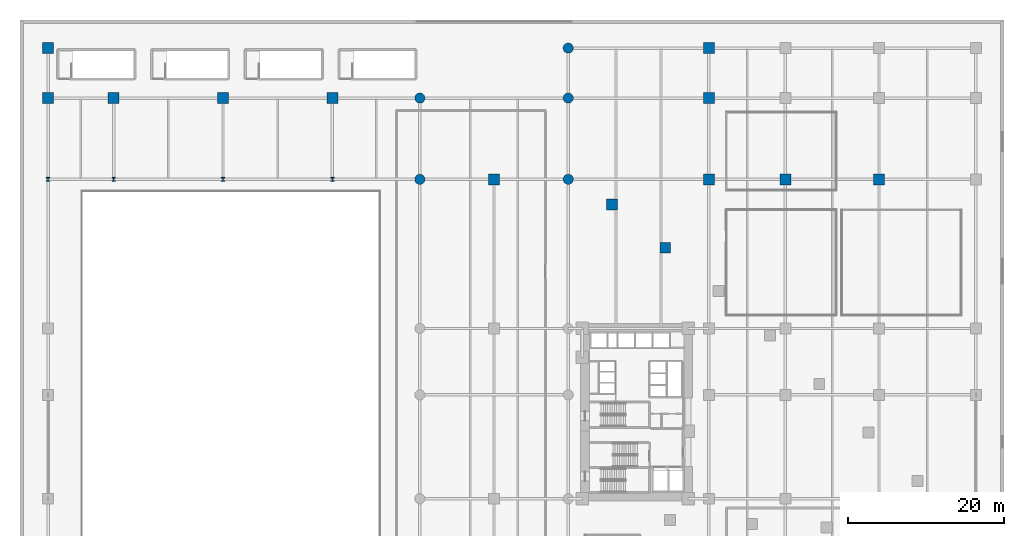
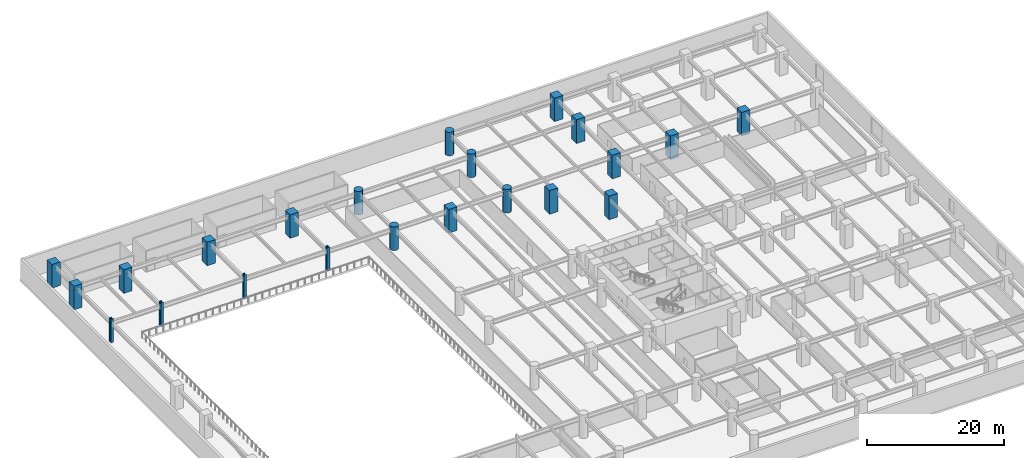
# One storey, part 3 of 20: 22 columns.
"""IFC4 building model written with IfcOpenShell, lengths in metres."""

from ifc_helpers import new_model, si_unit, direction, frame, origin, origin_2d, place, context, subcontext, project, spatial, rectangle, circle, i_section, extrude, material, material_profile, profile_set, type_object, element, save


model = new_model("IFC4")

# Units and contexts
model_context = context("Model", 3, precision=1e-05, world=origin(), true_north=direction((0.0, 1.0)))
body_context = subcontext(model_context, "Body", "Model", "MODEL_VIEW")
ifc_project = project(units=[si_unit("LENGTHUNIT", "METRE"), si_unit("AREAUNIT", "SQUARE_METRE"), si_unit("VOLUMEUNIT", "CUBIC_METRE"), si_unit("PLANEANGLEUNIT", "RADIAN"), si_unit("MASSUNIT", "GRAM", prefix="KILO")], contexts=[model_context])

# Site, building, storey
site_placement = place(None, origin())
site = spatial("IfcSite", under=ifc_project, at=site_placement, CompositionType="ELEMENT")
building_placement = place(site_placement, origin())
building = spatial("IfcBuilding", under=site, at=building_placement, Name="Narakoshi Arena Tower", CompositionType="ELEMENT")
storey_placement = place(building_placement, frame((0.0, 0.0, 17.39990234375)))
storey = spatial("IfcBuildingStorey", under=building, at=storey_placement, Name="L04", CompositionType="ELEMENT", Elevation=17.39990234375)

# Columns
ifc_material_1 = material(Name="Concrete C60/75", Category="concrete")
ifc_material_profile_1 = material_profile(ifc_material_1, circle(Radius=0.64990234375, at=origin_2d()), Name="RCC1300")
ifc_profile_set_1 = profile_set([ifc_material_profile_1], Name="Concrete C60/75")
column_type_1 = type_object("IfcColumnType", Name="COL-CIR1300", PredefinedType="PILASTER", material=ifc_profile_set_1)
for number, where, z_axis, x_axis, name in (
    (1, (51.199951171875, 75.60009765625, 0.0), (0.0, 0.0, 1.0), (1.0, 0.0, 0.0), "L04 Podium Column PC27"),
    (2, (51.199951171875, 86.0, 0.0), (0.0, 0.0, 1.0), (1.0, 0.0, 0.0), "L04 Podium Column PC28"),
    (3, (70.199951171875, 75.60009765625, 0.0), (0.0, 0.0, 1.0), (1.0, 0.0, 0.0), "L04 Podium Column PC39"),
    (4, (70.199951171875, 86.0, 0.0), (0.0, 0.0, 1.0), (1.0, 0.0, 0.0), "L04 Podium Column PC40"),
    (5, (70.199951171875, 92.39990234375, 0.0), (0.0, 0.0, 1.0), (1.0, 0.0, 0.0), "L04 Podium Column PC41"),
):
    element("IfcColumn", number, at=place(storey_placement, frame(where, z_axis=z_axis, x_axis=x_axis)), inside=storey, type_object=column_type_1, Name=name, PredefinedType="PILASTER", context=body_context, shape_type="SweptSolid", body=[
        extrude(circle(Radius=0.64990234375, at=origin_2d()), origin(), (0.0, 0.0, 1.0), 4.2001953125),
    ])
ifc_material_profile_2 = material_profile(ifc_material_1, rectangle(XDim=1.39990234375, YDim=1.39990234375, at=origin_2d()), Name="RC1400x1400")
ifc_profile_set_2 = profile_set([ifc_material_profile_2], Name="Concrete C60/75")
column_type_2 = type_object("IfcColumnType", Name="COL-RC1400", PredefinedType="COLUMN", material=ifc_profile_set_2)
for number, where, z_axis, x_axis, name in (
    (6, (3.60009765625, 86.0, 0.0), (0.0, 0.0, 1.0), (1.0, 0.0, 0.0), "L04 Podium Column PC08"),
    (7, (3.60009765625, 92.39990234375, 0.0), (0.0, 0.0, 1.0), (1.0, 0.0, 0.0), "L04 Podium Column PC09"),
    (8, (12.0, 86.0, 0.0), (0.0, 0.0, 1.0), (1.0, 0.0, 0.0), "L04 Podium Column PC13"),
    (9, (26.0, 86.0, 0.0), (0.0, 0.0, 1.0), (1.0, 0.0, 0.0), "L04 Podium Column PC17"),
    (10, (40.0, 86.0, 0.0), (0.0, 0.0, 1.0), (1.0, 0.0, 0.0), "L04 Podium Column PC21"),
    (11, (60.699951171875, 75.60009765625, 0.0), (0.0, 0.0, 1.0), (1.0, 0.0, 0.0), "L04 Podium Column PC32"),
    (12, (88.199951171875, 75.60009765625, 0.0), (0.0, 0.0, 1.0), (1.0, 0.0, 0.0), "L04 Podium Column PC48"),
    (13, (88.199951171875, 86.0, 0.0), (0.0, 0.0, 1.0), (1.0, 0.0, 0.0), "L04 Podium Column PC49"),
    (14, (88.199951171875, 92.39990234375, 0.0), (0.0, 0.0, 1.0), (1.0, 0.0, 0.0), "L04 Podium Column PC50"),
    (15, (98.0, 75.60009765625, 0.0), (0.0, 0.0, 1.0), (1.0, 0.0, 0.0), "L04 Podium Column PC57"),
    (16, (110.0, 75.60009765625, 0.0), (0.0, 0.0, 1.0), (1.0, 0.0, 0.0), "L04 Podium Column PC66"),
    (17, (82.626953125, 66.838623046875, 0.0), (0.0, 0.0, 1.0), (1.0, 0.0, 0.0), "L04 Tower Plumb Pier B1P10"),
    (18, (75.794189453125, 72.392333984375, 0.0), (0.0, 0.0, 1.0), (1.0, 0.0, 0.0), "L04 Tower Plumb Pier B1P11"),
):
    element("IfcColumn", number, at=place(storey_placement, frame(where, z_axis=z_axis, x_axis=x_axis)), inside=storey, type_object=column_type_2, Name=name, PredefinedType="COLUMN", context=body_context, shape_type="SweptSolid", body=[
        extrude(rectangle(XDim=1.39990234375, YDim=1.39990234375, at=origin_2d()), origin(), (0.0, 0.0, 1.0), 4.2001953125),
    ])
ifc_material_2 = material(Name="Structural steel S355J2", Category="steel")
ifc_material_profile_3 = material_profile(ifc_material_2, i_section(OverallWidth=0.43701171875, OverallDepth=0.513916015625, WebThickness=0.060546875, FlangeThickness=0.096923828125, FilletRadius=0.014892578125, at=origin_2d()), Name="HD400x818")
ifc_profile_set_3 = profile_set([ifc_material_profile_3], Name="Structural steel S355J2")
column_type_3 = type_object("IfcColumnType", Name="COL-STL818", PredefinedType="COLUMN", material=ifc_profile_set_3)
for number, where, z_axis, x_axis, name in (
    (19, (3.60009765625, 75.60009765625, 0.0), (0.0, 0.0, 1.0), (1.0, 0.0, 0.0), "L04 Podium Column PC07"),
    (20, (12.0, 75.60009765625, 0.0), (0.0, 0.0, 1.0), (1.0, 0.0, 0.0), "L04 Podium Column PC12"),
    (21, (26.0, 75.60009765625, 0.0), (0.0, 0.0, 1.0), (1.0, 0.0, 0.0), "L04 Podium Column PC16"),
    (22, (40.0, 75.60009765625, 0.0), (0.0, 0.0, 1.0), (1.0, 0.0, 0.0), "L04 Podium Column PC20"),
):
    element("IfcColumn", number, at=place(storey_placement, frame(where, z_axis=z_axis, x_axis=x_axis)), inside=storey, type_object=column_type_3, Name=name, PredefinedType="COLUMN", context=body_context, shape_type="SweptSolid", body=[
        extrude(i_section(OverallWidth=0.43701171875, OverallDepth=0.513916015625, WebThickness=0.060546875, FlangeThickness=0.096923828125, FilletRadius=0.014892578125, at=origin_2d()), origin(), (0.0, 0.0, 1.0), 4.2001953125),
    ])

save(model, "model.ifc")
